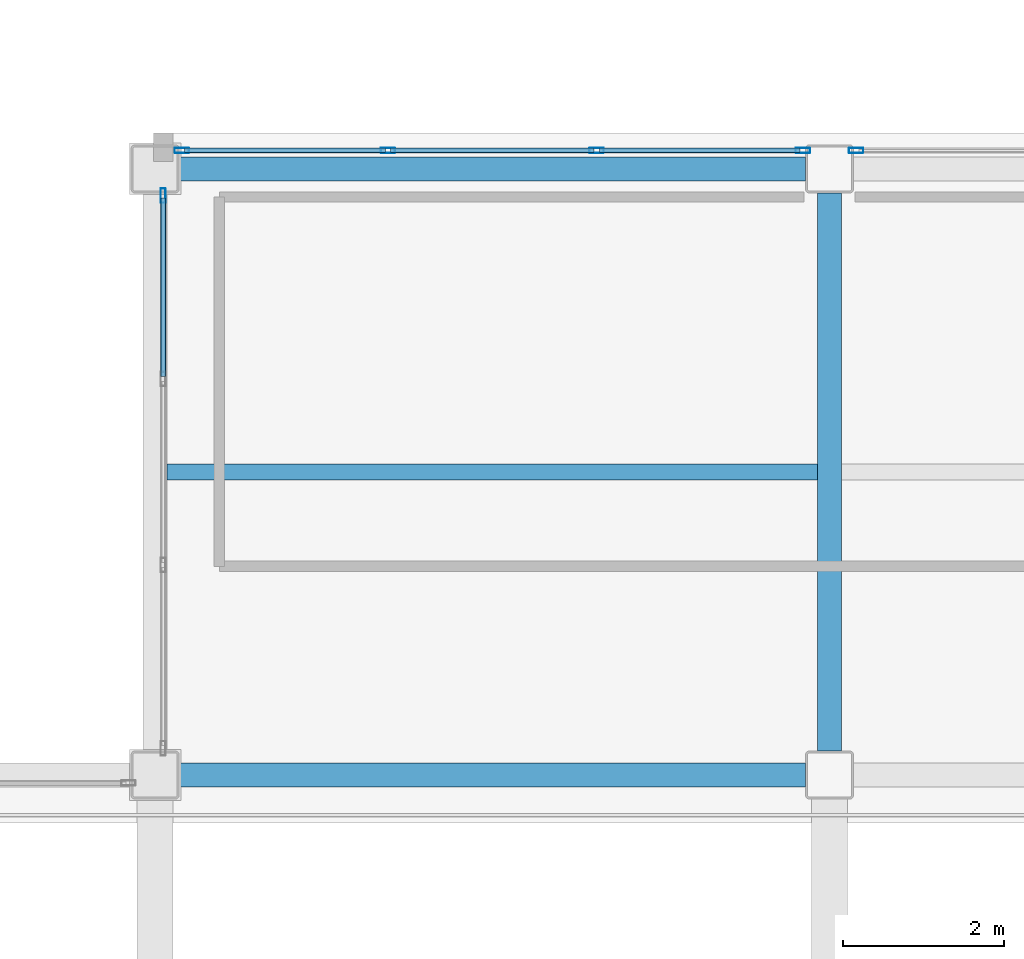
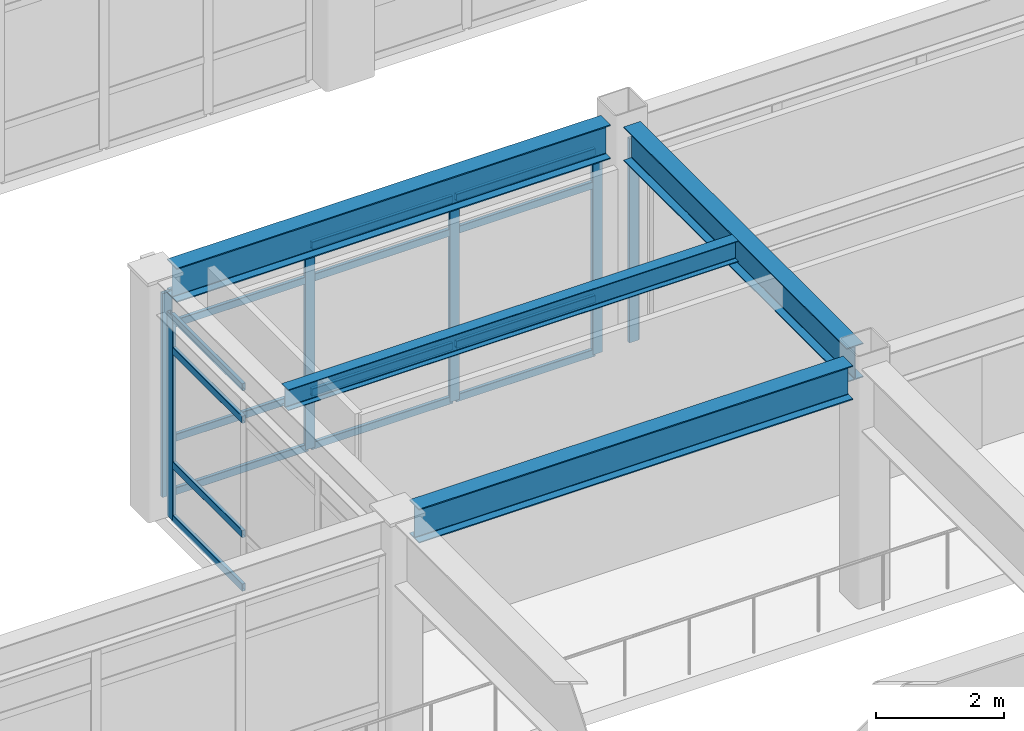
# One storey, part 25 of 172: 22 members, 4 beams, 3 elements without a shape of their own.
"""IFC4 building model written with IfcOpenShell, lengths in metres."""

from ifc_helpers import new_model, si_unit, direction, frame, origin, origin_2d, place, context, subcontext, project, spatial, hollow_rectangle, i_section, extrude, material, layer, layer_set, material_profile, profile_set, type_object, element, aggregate, save


model = new_model("IFC4")

# Units and contexts
model_context = context("Model", 3, precision=1e-05, world=origin(), true_north=direction((0.0, 1.0)))
body_context = subcontext(model_context, "Body", "Model", "MODEL_VIEW")
ifc_project = project(units=[si_unit("LENGTHUNIT", "METRE"), si_unit("AREAUNIT", "SQUARE_METRE"), si_unit("VOLUMEUNIT", "CUBIC_METRE"), si_unit("PLANEANGLEUNIT", "RADIAN"), si_unit("MASSUNIT", "GRAM", prefix="KILO")], contexts=[model_context])

# Site, building, storey
site_placement = place(None, origin())
site = spatial("IfcSite", under=ifc_project, at=site_placement, CompositionType="ELEMENT")
building_placement = place(site_placement, origin())
building = spatial("IfcBuilding", under=site, at=building_placement, Name="Kazehara Bluff Congress Hotel", CompositionType="ELEMENT")
storey_placement = place(building_placement, frame((0.0, 0.0, 5.39990234375)))
storey = spatial("IfcBuildingStorey", under=building, at=storey_placement, Name="L01", CompositionType="ELEMENT", Elevation=5.39990234375)

# Curtain wall, members
ifc_material_1 = material(Name="Anodised aluminium", Category="aluminium")
ifc_layer_1 = layer(ifc_material_1, 0.159912109375)
ifc_layer_set_1 = layer_set([ifc_layer_1], Name="Anodised aluminium")
curtain_wall_type_1 = type_object("IfcCurtainWallType", Name="TP-CW-29", PredefinedType="NOTDEFINED", material=ifc_layer_set_1)
curtain_wall_1_placement = place(storey_placement, origin())
curtain_wall_1 = element("IfcCurtainWall", 1, at=curtain_wall_1_placement, inside=storey, type_object=curtain_wall_type_1, Name="L01 curtain wall CW-29 CW-ENC-V2-L01-2940-3978", PredefinedType="NOTDEFINED")
ifc_material_2 = material(Name="Anodised aluminium", Category="aluminium")
ifc_material_profile_1 = material_profile(ifc_material_2, hollow_rectangle(XDim=0.06494140625, YDim=0.179931640625, WallThickness=0.00390625, InnerFilletRadius=0.00390625, OuterFilletRadius=0.008056640625, at=origin_2d()))
ifc_profile_set_1 = profile_set([ifc_material_profile_1], Name="Anodised aluminium")
member_type_1 = type_object("IfcMemberType", Name="TP-CWM-02", PredefinedType="MULLION", material=ifc_profile_set_1)
member_1_placement = place(storey_placement, frame((25.532470703125, 39.780029296875, 0.0), z_axis=(0.0, 0.0, 1.0), x_axis=(0.0, 1.0, 0.0)))
member_1 = element("IfcMember", 2, at=member_1_placement, type_object=member_type_1, Name="CW-29 mullion 1", PredefinedType="MULLION", context=body_context, shape_type="SweptSolid", body=[
    extrude(hollow_rectangle(XDim=0.06494140625, YDim=0.179931640625, WallThickness=0.00390625, InnerFilletRadius=0.00390625, OuterFilletRadius=0.008056640625, at=origin_2d()), origin(), (0.0, 0.0, 1.0), 3.875),
])
member_2_placement = place(storey_placement, frame((28.10009765625, 39.780029296875, 0.0), z_axis=(0.0, 0.0, 1.0), x_axis=(0.0, 1.0, 0.0)))
member_2 = element("IfcMember", 3, at=member_2_placement, type_object=member_type_1, Name="CW-29 mullion 2", PredefinedType="MULLION", context=body_context, shape_type="SweptSolid", body=[
    extrude(hollow_rectangle(XDim=0.06494140625, YDim=0.179931640625, WallThickness=0.00390625, InnerFilletRadius=0.00390625, OuterFilletRadius=0.008056640625, at=origin_2d()), origin(), (0.0, 0.0, 1.0), 3.875),
])
member_3_placement = place(storey_placement, frame((30.699951171875, 39.780029296875, 0.0), z_axis=(0.0, 0.0, 1.0), x_axis=(0.0, 1.0, 0.0)))
member_3 = element("IfcMember", 4, at=member_3_placement, type_object=member_type_1, Name="CW-29 mullion 3", PredefinedType="MULLION", context=body_context, shape_type="SweptSolid", body=[
    extrude(hollow_rectangle(XDim=0.06494140625, YDim=0.179931640625, WallThickness=0.00390625, InnerFilletRadius=0.00390625, OuterFilletRadius=0.008056640625, at=origin_2d()), origin(), (0.0, 0.0, 1.0), 3.875),
])
member_4_placement = place(storey_placement, frame((33.267578125, 39.780029296875, 0.0), z_axis=(0.0, 0.0, 1.0), x_axis=(0.0, 1.0, 0.0)))
member_4 = element("IfcMember", 5, at=member_4_placement, type_object=member_type_1, Name="CW-29 mullion 4", PredefinedType="MULLION", context=body_context, shape_type="SweptSolid", body=[
    extrude(hollow_rectangle(XDim=0.06494140625, YDim=0.179931640625, WallThickness=0.00390625, InnerFilletRadius=0.00390625, OuterFilletRadius=0.008056640625, at=origin_2d()), origin(), (0.0, 0.0, 1.0), 3.875),
])

# Curtain wall, member
curtain_wall_2_placement = place(storey_placement, origin())
curtain_wall_2 = element("IfcCurtainWall", 6, at=curtain_wall_2_placement, inside=storey, type_object=curtain_wall_type_1, Name="L01 curtain wall CW-29 CW-ENC-V2-L01-3780-3978", PredefinedType="NOTDEFINED")
member_5_placement = place(storey_placement, frame((33.9326171875, 39.780029296875, 0.0), z_axis=(0.0, 0.0, 1.0), x_axis=(0.0, 1.0, 0.0)))
member_5 = element("IfcMember", 7, at=member_5_placement, type_object=member_type_1, Name="CW-29 mullion 1", PredefinedType="MULLION", context=body_context, shape_type="SweptSolid", body=[
    extrude(hollow_rectangle(XDim=0.06494140625, YDim=0.179931640625, WallThickness=0.00390625, InnerFilletRadius=0.00390625, OuterFilletRadius=0.008056640625, at=origin_2d()), origin(), (0.0, 0.0, 1.0), 3.875),
])
aggregate(curtain_wall_2, [member_5])

ifc_material_3 = material(Name="Anodised aluminium", Category="aluminium")
ifc_layer_2 = layer(ifc_material_3, 0.159912109375)
ifc_layer_set_2 = layer_set([ifc_layer_2], Name="Anodised aluminium")
curtain_wall_type_2 = type_object("IfcCurtainWallType", Name="TP-CW-33", PredefinedType="NOTDEFINED", material=ifc_layer_set_2)
curtain_wall_3_placement = place(storey_placement, origin())
curtain_wall_3 = element("IfcCurtainWall", 8, at=curtain_wall_3_placement, inside=storey, type_object=curtain_wall_type_2, Name="L01 curtain wall CW-33 CW-ENC-V2-L01-2530-3578", PredefinedType="NOTDEFINED")
member_6_placement = place(storey_placement, frame((25.300048828125, 39.217529296875, 0.0), z_axis=(0.0, 0.0, 1.0), x_axis=(-1.0, 0.0, 0.0)))
member_6 = element("IfcMember", 9, at=member_6_placement, type_object=member_type_1, Name="CW-33 mullion 4", PredefinedType="MULLION", context=body_context, shape_type="SweptSolid", body=[
    extrude(hollow_rectangle(XDim=0.06494140625, YDim=0.179931640625, WallThickness=0.00390625, InnerFilletRadius=0.00390625, OuterFilletRadius=0.008056640625, at=origin_2d()), origin(), (0.0, 0.0, 1.0), 3.875),
])

# Member
ifc_material_4 = material(Name="Anodised aluminium", Category="aluminium")
ifc_material_profile_2 = material_profile(ifc_material_4, hollow_rectangle(XDim=0.06494140625, YDim=0.139892578125, WallThickness=0.00390625, InnerFilletRadius=0.00390625, OuterFilletRadius=0.008056640625, at=origin_2d()))
ifc_profile_set_2 = profile_set([ifc_material_profile_2], Name="Anodised aluminium")
member_type_2 = type_object("IfcMemberType", Name="TP-CWT-02", PredefinedType="USERDEFINED", material=ifc_profile_set_2)
member_7_placement = place(storey_placement, frame((25.56494140625, 39.780029296875, 0.03271484375), z_axis=(1.0, 0.0, 0.0), x_axis=(0.0, 1.0, 0.0)))
member_7 = element("IfcMember", 10, at=member_7_placement, type_object=member_type_2, Name="CW-29 transom 1.1", ObjectType="TRANSOM", PredefinedType="USERDEFINED", context=body_context, shape_type="SweptSolid", body=[
    extrude(hollow_rectangle(XDim=0.06494140625, YDim=0.139892578125, WallThickness=0.00390625, InnerFilletRadius=0.00390625, OuterFilletRadius=0.008056640625, at=origin_2d()), origin(), (0.0, 0.0, 1.0), 2.50244140625),
])

member_8_placement = place(storey_placement, frame((25.56494140625, 39.780029296875, 1.050048828125), z_axis=(1.0, 0.0, 0.0), x_axis=(0.0, 1.0, 0.0)))
member_8 = element("IfcMember", 11, at=member_8_placement, type_object=member_type_2, Name="CW-29 transom 1.2", ObjectType="TRANSOM", PredefinedType="USERDEFINED", context=body_context, shape_type="SweptSolid", body=[
    extrude(hollow_rectangle(XDim=0.06494140625, YDim=0.139892578125, WallThickness=0.00390625, InnerFilletRadius=0.00390625, OuterFilletRadius=0.008056640625, at=origin_2d()), origin(), (0.0, 0.0, 1.0), 2.50244140625),
])

member_9_placement = place(storey_placement, frame((25.56494140625, 39.780029296875, 3.22509765625), z_axis=(1.0, 0.0, 0.0), x_axis=(0.0, 1.0, 0.0)))
member_9 = element("IfcMember", 12, at=member_9_placement, type_object=member_type_2, Name="CW-29 transom 1.3", ObjectType="TRANSOM", PredefinedType="USERDEFINED", context=body_context, shape_type="SweptSolid", body=[
    extrude(hollow_rectangle(XDim=0.06494140625, YDim=0.139892578125, WallThickness=0.00390625, InnerFilletRadius=0.00390625, OuterFilletRadius=0.008056640625, at=origin_2d()), origin(), (0.0, 0.0, 1.0), 2.50244140625),
])

member_10_placement = place(storey_placement, frame((25.56494140625, 39.780029296875, 3.842529296875), z_axis=(1.0, 0.0, 0.0), x_axis=(0.0, 1.0, 0.0)))
member_10 = element("IfcMember", 13, at=member_10_placement, type_object=member_type_2, Name="CW-29 transom 1.4", ObjectType="TRANSOM", PredefinedType="USERDEFINED", context=body_context, shape_type="SweptSolid", body=[
    extrude(hollow_rectangle(XDim=0.06494140625, YDim=0.139892578125, WallThickness=0.00390625, InnerFilletRadius=0.00390625, OuterFilletRadius=0.008056640625, at=origin_2d()), origin(), (0.0, 0.0, 1.0), 2.50244140625),
])

member_11_placement = place(storey_placement, frame((28.132568359375, 39.780029296875, 0.03271484375), z_axis=(1.0, 0.0, 0.0), x_axis=(0.0, 1.0, 0.0)))
member_11 = element("IfcMember", 14, at=member_11_placement, type_object=member_type_2, Name="CW-29 transom 2.1", ObjectType="TRANSOM", PredefinedType="USERDEFINED", context=body_context, shape_type="SweptSolid", body=[
    extrude(hollow_rectangle(XDim=0.06494140625, YDim=0.139892578125, WallThickness=0.00390625, InnerFilletRadius=0.00390625, OuterFilletRadius=0.008056640625, at=origin_2d()), origin(), (0.0, 0.0, 1.0), 2.534912109375),
])

member_12_placement = place(storey_placement, frame((28.132568359375, 39.780029296875, 1.050048828125), z_axis=(1.0, 0.0, 0.0), x_axis=(0.0, 1.0, 0.0)))
member_12 = element("IfcMember", 15, at=member_12_placement, type_object=member_type_2, Name="CW-29 transom 2.2", ObjectType="TRANSOM", PredefinedType="USERDEFINED", context=body_context, shape_type="SweptSolid", body=[
    extrude(hollow_rectangle(XDim=0.06494140625, YDim=0.139892578125, WallThickness=0.00390625, InnerFilletRadius=0.00390625, OuterFilletRadius=0.008056640625, at=origin_2d()), origin(), (0.0, 0.0, 1.0), 2.534912109375),
])

member_13_placement = place(storey_placement, frame((28.132568359375, 39.780029296875, 3.22509765625), z_axis=(1.0, 0.0, 0.0), x_axis=(0.0, 1.0, 0.0)))
member_13 = element("IfcMember", 16, at=member_13_placement, type_object=member_type_2, Name="CW-29 transom 2.3", ObjectType="TRANSOM", PredefinedType="USERDEFINED", context=body_context, shape_type="SweptSolid", body=[
    extrude(hollow_rectangle(XDim=0.06494140625, YDim=0.139892578125, WallThickness=0.00390625, InnerFilletRadius=0.00390625, OuterFilletRadius=0.008056640625, at=origin_2d()), origin(), (0.0, 0.0, 1.0), 2.534912109375),
])

member_14_placement = place(storey_placement, frame((28.132568359375, 39.780029296875, 3.842529296875), z_axis=(1.0, 0.0, 0.0), x_axis=(0.0, 1.0, 0.0)))
member_14 = element("IfcMember", 17, at=member_14_placement, type_object=member_type_2, Name="CW-29 transom 2.4", ObjectType="TRANSOM", PredefinedType="USERDEFINED", context=body_context, shape_type="SweptSolid", body=[
    extrude(hollow_rectangle(XDim=0.06494140625, YDim=0.139892578125, WallThickness=0.00390625, InnerFilletRadius=0.00390625, OuterFilletRadius=0.008056640625, at=origin_2d()), origin(), (0.0, 0.0, 1.0), 2.534912109375),
])

member_15_placement = place(storey_placement, frame((30.732421875, 39.780029296875, 0.03271484375), z_axis=(1.0, 0.0, 0.0), x_axis=(0.0, 1.0, 0.0)))
member_15 = element("IfcMember", 18, at=member_15_placement, type_object=member_type_2, Name="CW-29 transom 3.1", ObjectType="TRANSOM", PredefinedType="USERDEFINED", context=body_context, shape_type="SweptSolid", body=[
    extrude(hollow_rectangle(XDim=0.06494140625, YDim=0.139892578125, WallThickness=0.00390625, InnerFilletRadius=0.00390625, OuterFilletRadius=0.008056640625, at=origin_2d()), origin(), (0.0, 0.0, 1.0), 2.502685546875),
])

member_16_placement = place(storey_placement, frame((30.732421875, 39.780029296875, 1.050048828125), z_axis=(1.0, 0.0, 0.0), x_axis=(0.0, 1.0, 0.0)))
member_16 = element("IfcMember", 19, at=member_16_placement, type_object=member_type_2, Name="CW-29 transom 3.2", ObjectType="TRANSOM", PredefinedType="USERDEFINED", context=body_context, shape_type="SweptSolid", body=[
    extrude(hollow_rectangle(XDim=0.06494140625, YDim=0.139892578125, WallThickness=0.00390625, InnerFilletRadius=0.00390625, OuterFilletRadius=0.008056640625, at=origin_2d()), origin(), (0.0, 0.0, 1.0), 2.502685546875),
])

member_17_placement = place(storey_placement, frame((30.732421875, 39.780029296875, 3.22509765625), z_axis=(1.0, 0.0, 0.0), x_axis=(0.0, 1.0, 0.0)))
member_17 = element("IfcMember", 20, at=member_17_placement, type_object=member_type_2, Name="CW-29 transom 3.3", ObjectType="TRANSOM", PredefinedType="USERDEFINED", context=body_context, shape_type="SweptSolid", body=[
    extrude(hollow_rectangle(XDim=0.06494140625, YDim=0.139892578125, WallThickness=0.00390625, InnerFilletRadius=0.00390625, OuterFilletRadius=0.008056640625, at=origin_2d()), origin(), (0.0, 0.0, 1.0), 2.502685546875),
])

member_18_placement = place(storey_placement, frame((30.732421875, 39.780029296875, 3.842529296875), z_axis=(1.0, 0.0, 0.0), x_axis=(0.0, 1.0, 0.0)))
member_18 = element("IfcMember", 21, at=member_18_placement, type_object=member_type_2, Name="CW-29 transom 3.4", ObjectType="TRANSOM", PredefinedType="USERDEFINED", context=body_context, shape_type="SweptSolid", body=[
    extrude(hollow_rectangle(XDim=0.06494140625, YDim=0.139892578125, WallThickness=0.00390625, InnerFilletRadius=0.00390625, OuterFilletRadius=0.008056640625, at=origin_2d()), origin(), (0.0, 0.0, 1.0), 2.502685546875),
])

aggregate(curtain_wall_1, [member_1, member_2, member_3, member_4, member_7, member_8, member_9, member_10, member_11, member_12, member_13, member_14, member_15, member_16, member_17, member_18])

member_19_placement = place(storey_placement, frame((25.300048828125, 36.9658203125, 0.03271484375), z_axis=(0.0, 1.0, 0.0), x_axis=(-1.0, 0.0, 0.0)))
member_19 = element("IfcMember", 22, at=member_19_placement, type_object=member_type_2, Name="CW-33 transom 3.1", ObjectType="TRANSOM", PredefinedType="USERDEFINED", context=body_context, shape_type="SweptSolid", body=[
    extrude(hollow_rectangle(XDim=0.06494140625, YDim=0.139892578125, WallThickness=0.00390625, InnerFilletRadius=0.00390625, OuterFilletRadius=0.008056640625, at=origin_2d()), origin(), (0.0, 0.0, 1.0), 2.21923828125),
])

member_20_placement = place(storey_placement, frame((25.300048828125, 36.9658203125, 1.050048828125), z_axis=(0.0, 1.0, 0.0), x_axis=(-1.0, 0.0, 0.0)))
member_20 = element("IfcMember", 23, at=member_20_placement, type_object=member_type_2, Name="CW-33 transom 3.2", ObjectType="TRANSOM", PredefinedType="USERDEFINED", context=body_context, shape_type="SweptSolid", body=[
    extrude(hollow_rectangle(XDim=0.06494140625, YDim=0.139892578125, WallThickness=0.00390625, InnerFilletRadius=0.00390625, OuterFilletRadius=0.008056640625, at=origin_2d()), origin(), (0.0, 0.0, 1.0), 2.21923828125),
])

member_21_placement = place(storey_placement, frame((25.300048828125, 36.9658203125, 3.22509765625), z_axis=(0.0, 1.0, 0.0), x_axis=(-1.0, 0.0, 0.0)))
member_21 = element("IfcMember", 24, at=member_21_placement, type_object=member_type_2, Name="CW-33 transom 3.3", ObjectType="TRANSOM", PredefinedType="USERDEFINED", context=body_context, shape_type="SweptSolid", body=[
    extrude(hollow_rectangle(XDim=0.06494140625, YDim=0.139892578125, WallThickness=0.00390625, InnerFilletRadius=0.00390625, OuterFilletRadius=0.008056640625, at=origin_2d()), origin(), (0.0, 0.0, 1.0), 2.21923828125),
])

member_22_placement = place(storey_placement, frame((25.300048828125, 36.9658203125, 3.842529296875), z_axis=(0.0, 1.0, 0.0), x_axis=(-1.0, 0.0, 0.0)))
member_22 = element("IfcMember", 25, at=member_22_placement, type_object=member_type_2, Name="CW-33 transom 3.4", ObjectType="TRANSOM", PredefinedType="USERDEFINED", context=body_context, shape_type="SweptSolid", body=[
    extrude(hollow_rectangle(XDim=0.06494140625, YDim=0.139892578125, WallThickness=0.00390625, InnerFilletRadius=0.00390625, OuterFilletRadius=0.008056640625, at=origin_2d()), origin(), (0.0, 0.0, 1.0), 2.21923828125),
])

aggregate(curtain_wall_3, [member_6, member_19, member_20, member_21, member_22])

# Beams
ifc_material_5 = material(Name="Steel SN490B", Category="steel")
ifc_material_profile_3 = material_profile(ifc_material_5, i_section(OverallWidth=0.300048828125, OverallDepth=0.64990234375, WebThickness=0.011962890625, FlangeThickness=0.02001953125, FilletRadius=0.012939453125, at=origin_2d()))
ifc_profile_set_3 = profile_set([ifc_material_profile_3], Name="Steel SN490B")
beam_type_1 = type_object("IfcBeamType", Name="TP-G-03", PredefinedType="BEAM", material=ifc_profile_set_3)
beam_1_placement = place(storey_placement, frame((33.60009765625, 32.300048828125, 4.22509765625), z_axis=(0.0, 1.0, 0.0), x_axis=(-1.0, 0.0, 0.0)))
element("IfcBeam", 26, at=beam_1_placement, inside=storey, type_object=beam_type_1, Name="L01 girder G-03 57", PredefinedType="BEAM", context=body_context, shape_type="SweptSolid", body=[
    extrude(i_section(OverallWidth=0.300048828125, OverallDepth=0.64990234375, WebThickness=0.011962890625, FlangeThickness=0.02001953125, FilletRadius=0.012939453125, at=origin_2d()), origin(), (0.0, 0.0, 1.0), 6.949951171875),
])
for number, where, z_axis, x_axis, name in (
    (27, (25.5, 32.0, 4.22509765625), (1.0, 0.0, 0.0), (0.0, 1.0, 0.0), "L01 girder G-03 91"),
    (28, (25.5, 39.550048828125, 4.22509765625), (1.0, 0.0, 0.0), (0.0, 1.0, 0.0), "L01 girder G-03 95"),
):
    element("IfcBeam", number, at=place(storey_placement, frame(where, z_axis=z_axis, x_axis=x_axis)), inside=storey, type_object=beam_type_1, Name=name, PredefinedType="BEAM", context=body_context, shape_type="SweptSolid", body=[
        extrude(i_section(OverallWidth=0.300048828125, OverallDepth=0.64990234375, WebThickness=0.011962890625, FlangeThickness=0.02001953125, FilletRadius=0.012939453125, at=origin_2d()), origin(), (0.0, 0.0, 1.0), 7.800048828125),
    ])
ifc_material_6 = material(Name="Steel SN400B", Category="steel")
ifc_material_profile_4 = material_profile(ifc_material_6, i_section(OverallWidth=0.199951171875, OverallDepth=0.39990234375, WebThickness=0.008056640625, FlangeThickness=0.012939453125, FilletRadius=0.012939453125, at=origin_2d()))
ifc_profile_set_4 = profile_set([ifc_material_profile_4], Name="Steel SN400B")
beam_type_2 = type_object("IfcBeamType", Name="TP-J-03", PredefinedType="JOIST", material=ifc_profile_set_4)
beam_2_placement = place(storey_placement, frame((25.35009765625, 35.77490234375, 4.35009765625), z_axis=(1.0, 0.0, 0.0), x_axis=(0.0, 1.0, 0.0)))
element("IfcBeam", 29, at=beam_2_placement, inside=storey, type_object=beam_type_2, Name="L01 secondary joist J-03 6", PredefinedType="JOIST", context=body_context, shape_type="SweptSolid", body=[
    extrude(i_section(OverallWidth=0.199951171875, OverallDepth=0.39990234375, WebThickness=0.008056640625, FlangeThickness=0.012939453125, FilletRadius=0.012939453125, at=origin_2d()), origin(), (0.0, 0.0, 1.0), 8.099853515625),
])

save(model, "model.ifc")
